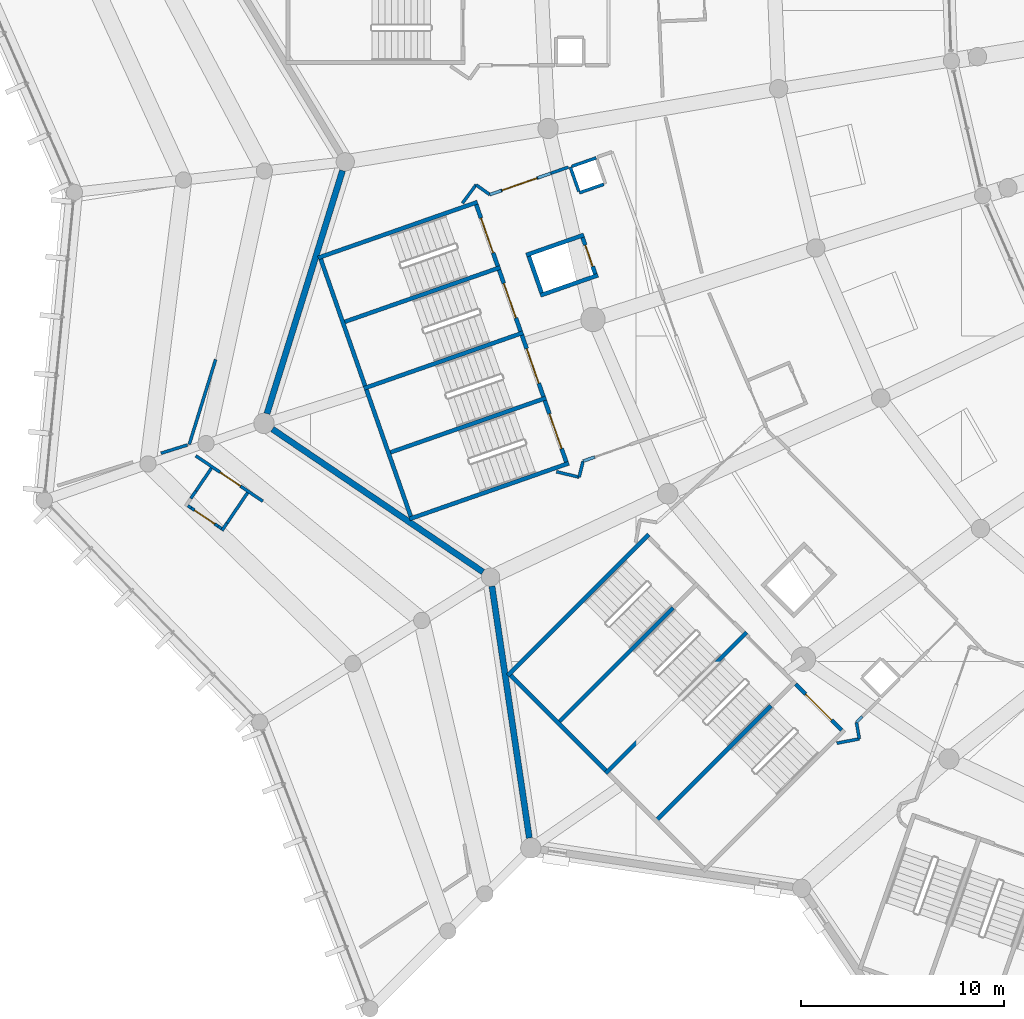
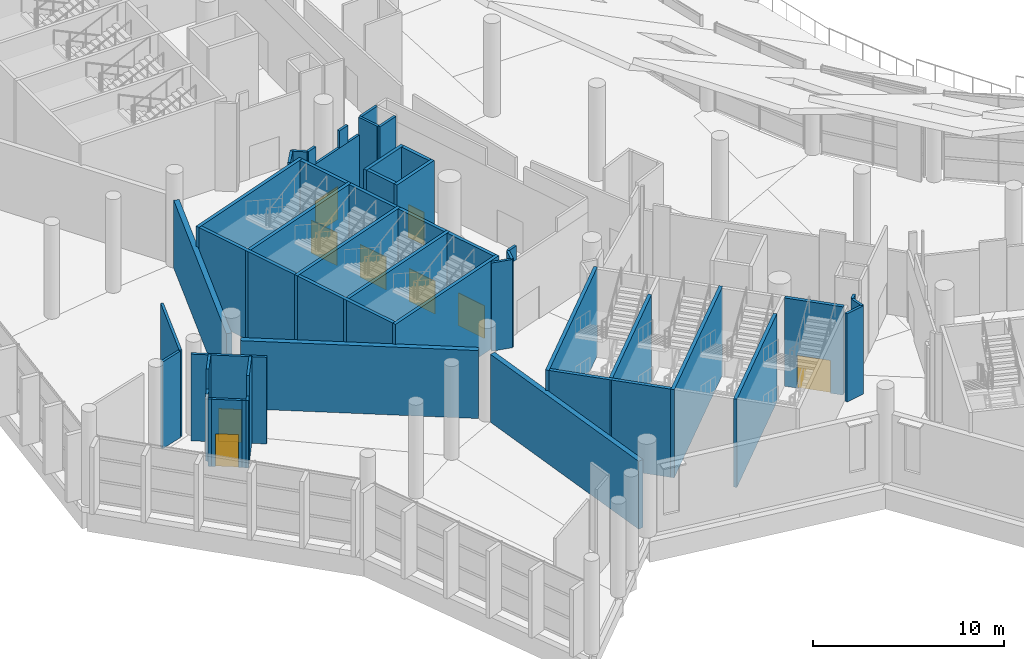
# One storey, part 138 of 249: 48 walls, 9 doors, 9 openings.
"""IFC4 building model written with IfcOpenShell, lengths in metres."""

import ifcopenshell
import ifcopenshell.guid

model = None  # the IFC model being written
_history = None  # IfcOwnerHistory: only IFC2X3 demands one
_inside = {}  # id of a spatial element -> (the spatial element, [elements in it])
_under = {}  # id of a project, library or spatial element -> (it, [spatial elements below it])
_declared = {}  # id of a project -> (the project, [libraries it declares])
_typed = {}  # id of a type object -> (the type object, [elements of that type])
_made_of = {}  # id of a material, layer set ... -> (it, [elements and type objects made of it])


def new_model(schema):
    """Start an empty IFC model of exactly this schema.

    Asked for "IFC4X3", IfcOpenShell would pick the latest addendum, in which some entities
    have other attributes; the version numbers below select the first issue.
    IFC2X3 requires an IfcOwnerHistory on every rooted entity: one is made here for all.
    """
    global model, _history
    if schema == "IFC4X3":
        model = ifcopenshell.file(schema_version=(4, 3, 0, 0))
    else:
        model = ifcopenshell.file(schema=schema)
    _inside.clear()
    _under.clear()
    _declared.clear()
    _typed.clear()
    _made_of.clear()
    _history = None
    if model.schema == "IFC2X3":
        org = make("IfcOrganization", Name="unknown")
        user = make(
            "IfcPersonAndOrganization",
            ThePerson=make("IfcPerson", FamilyName="unknown"),
            TheOrganization=org,
        )
        app = make(
            "IfcApplication",
            ApplicationDeveloper=org,
            Version="unknown",
            ApplicationFullName="unknown",
            ApplicationIdentifier="unknown",
        )
        _history = make(
            "IfcOwnerHistory",
            OwningUser=user,
            OwningApplication=app,
            ChangeAction="ADDED",
            CreationDate=0,
        )
    return model


def make(cls, **values):
    """One entity of the class cls with the attributes given. An attribute that is None is left unset."""
    return model.create_entity(
        cls, **{name: value for name, value in values.items() if value is not None}
    )


def rooted(cls, **values):
    """An entity with a GlobalId (a new one), such as an element, a storey or a relation."""
    return make(cls, GlobalId=ifcopenshell.guid.new(), OwnerHistory=_history, **values)


def si_unit(unit_type, name, prefix=None):
    """IfcSIUnit, for example si_unit("LENGTHUNIT", "METRE", prefix="MILLI")."""
    return make("IfcSIUnit", UnitType=unit_type, Prefix=prefix, Name=name)


def assignment(units):
    """IfcUnitAssignment: the units of a project."""
    return None if units is None else make("IfcUnitAssignment", Units=units)


def point(xyz):
    """IfcCartesianPoint."""
    return None if xyz is None else make("IfcCartesianPoint", Coordinates=xyz)


def direction(xyz):
    """IfcDirection."""
    return None if xyz is None else make("IfcDirection", DirectionRatios=xyz)


def frame(location, z_axis=None, x_axis=None):
    """IfcAxis2Placement3D, a coordinate frame: its origin and axes. An axis left out is left unset."""
    return make(
        "IfcAxis2Placement3D",
        Location=point(location),
        Axis=direction(z_axis),
        RefDirection=direction(x_axis),
    )


def frame_2d(location, x_axis=None):
    """IfcAxis2Placement2D, a coordinate frame in the plane: its origin and x axis."""
    return make(
        "IfcAxis2Placement2D", Location=point(location), RefDirection=direction(x_axis)
    )


def origin():
    """The frame at (0, 0, 0) with its axes left unset."""
    return frame((0.0, 0.0, 0.0))


def place(relative_to, where):
    """IfcLocalPlacement: puts the frame where relative to a parent placement (None: the world)."""
    return make(
        "IfcLocalPlacement", PlacementRelTo=relative_to, RelativePlacement=where
    )


def context(
    kind, dimensions, precision=None, world=None, true_north=None, identifier=None
):
    """IfcGeometricRepresentationContext, for example the 3D "Model" context."""
    return make(
        "IfcGeometricRepresentationContext",
        ContextIdentifier=identifier,
        ContextType=kind,
        CoordinateSpaceDimension=dimensions,
        Precision=precision,
        WorldCoordinateSystem=world,
        TrueNorth=true_north,
    )


def subcontext(parent, identifier, kind, view, scale=None):
    """IfcGeometricRepresentationSubContext, for example "Body" below "Model"."""
    return make(
        "IfcGeometricRepresentationSubContext",
        ContextIdentifier=identifier,
        ContextType=kind,
        ParentContext=parent,
        TargetScale=scale,
        TargetView=view,
    )


def project(units=None, contexts=None):
    """IfcProject with its units and contexts."""
    return rooted(
        "IfcProject",
        Name="project",
        RepresentationContexts=contexts,
        UnitsInContext=assignment(units),
    )


def spatial(cls, under=None, at=None, **own):
    """A site, building, storey or space (cls), placed at a placement, below another one or the project."""
    s = rooted(cls, ObjectPlacement=at, **own)
    if under is not None:
        _under.setdefault(under.id(), (under, []))[1].append(s)
    return s


def profile(cls, at=None, kind="AREA", **sizes):
    """A parametric profile (cls). Its sizes go by their IFC names, for example OverallWidth=200.0."""
    return make(cls, ProfileType=kind, Position=at, **sizes)


def rectangle(**sizes):
    """IfcRectangleProfileDef."""
    return profile("IfcRectangleProfileDef", **sizes)


def extrude(swept, where, along, depth):
    """IfcExtrudedAreaSolid: the profile swept, set in the frame where, extruded along a direction by depth."""
    return make(
        "IfcExtrudedAreaSolid",
        SweptArea=swept,
        Position=where,
        ExtrudedDirection=direction(along),
        Depth=depth,
    )


def shape(context_of_items, identifier, shape_type, items):
    """IfcShapeRepresentation: the items that make up one representation, for example the "Body"."""
    return make(
        "IfcShapeRepresentation",
        ContextOfItems=context_of_items,
        RepresentationIdentifier=identifier,
        RepresentationType=shape_type,
        Items=items,
    )


def material(Name=None, Category=None):
    """IfcMaterial."""
    return make("IfcMaterial", Name=Name, Category=Category)


def layer(
    of_material, thickness, ventilated=None, Name=None, Category=None, Priority=None
):
    """IfcMaterialLayer: one layer of a wall or slab, of a material (None: an air gap)."""
    return make(
        "IfcMaterialLayer",
        Material=of_material,
        LayerThickness=thickness,
        IsVentilated=ventilated,
        Name=Name,
        Category=Category,
        Priority=Priority,
    )


def layer_set(layers, Name=None):
    """IfcMaterialLayerSet."""
    return make("IfcMaterialLayerSet", MaterialLayers=layers, LayerSetName=Name)


def made_of(thing, what):
    """Note that an element or type object is made of a material, layer set ...; save() writes the relation."""
    if what is not None:
        _made_of.setdefault(what.id(), (what, []))[1].append(thing)
    return thing


def type_object(cls, material=None, **own):
    """A type object (cls), such as IfcWallType, which elements share."""
    return made_of(rooted(cls, **own), material)


def element(
    cls,
    number,
    at=None,
    inside=None,
    cuts=None,
    type_object=None,
    material=None,
    context=None,
    identifier="Body",
    shape_type=None,
    held_by="IfcProductDefinitionShape",
    body=None,
    shapes=None,
    **own,
):
    """One element of the class cls, such as IfcWall. Its Tag is "e" and its number.

    at: its placement. inside: the storey or other place that contains it. cuts: it is an
    opening in that element (IfcRelVoidsElement). A single representation is given by context,
    identifier, shape_type and body (its items); several are given by shapes. held_by: the class
    of the entity that holds the representations. save() writes the other relations.
    """
    e = rooted(cls, Tag="e%d" % number, ObjectPlacement=at, **own)
    if body is not None:
        shapes = [shape(context, identifier, shape_type, body)]
    if shapes is not None:
        e.Representation = make(held_by, Representations=shapes)
    if inside is not None:
        _inside.setdefault(inside.id(), (inside, []))[1].append(e)
    if cuts is not None:
        rooted(
            "IfcRelVoidsElement", RelatingBuildingElement=cuts, RelatedOpeningElement=e
        )
    if type_object is not None:
        _typed.setdefault(type_object.id(), (type_object, []))[1].append(e)
    return made_of(e, material)


def fill(opening, filler):
    """IfcRelFillsElement: the door or window that sits in an opening."""
    return rooted(
        "IfcRelFillsElement",
        RelatingOpeningElement=opening,
        RelatedBuildingElement=filler,
    )


def aggregate(whole, parts):
    """IfcRelAggregates: a whole, such as a stair, and the parts it consists of."""
    return rooted("IfcRelAggregates", RelatingObject=whole, RelatedObjects=parts)


def save(model, path):
    """Write the relations noted so far, then the file.

    IfcRelAggregates (storeys below a building ...), IfcRelContainedInSpatialStructure (elements
    in a storey), IfcRelDefinesByType, IfcRelAssociatesMaterial and IfcRelDeclares: one each for
    every whole, place, type object, material and project.
    """
    for whole, parts in _under.values():
        aggregate(whole, parts)
    for where, things in _inside.values():
        rooted(
            "IfcRelContainedInSpatialStructure",
            RelatedElements=things,
            RelatingStructure=where,
        )
    for kind, things in _typed.values():
        rooted("IfcRelDefinesByType", RelatedObjects=things, RelatingType=kind)
    for what, things in _made_of.values():
        rooted("IfcRelAssociatesMaterial", RelatedObjects=things, RelatingMaterial=what)
    for by, libraries in _declared.values():
        rooted("IfcRelDeclares", RelatingContext=by, RelatedDefinitions=libraries)
    model.write(path)


model = new_model("IFC4")

# Units and contexts
model_context = context("Model", 3, precision=1e-05, world=origin(), true_north=direction((0.0, 1.0)))
body_context = subcontext(model_context, "Body", "Model", "MODEL_VIEW")
ifc_project = project(units=[si_unit("LENGTHUNIT", "METRE"), si_unit("AREAUNIT", "SQUARE_METRE"), si_unit("VOLUMEUNIT", "CUBIC_METRE"), si_unit("PLANEANGLEUNIT", "RADIAN"), si_unit("MASSUNIT", "GRAM", prefix="KILO")], contexts=[model_context])

# Site, building, storey
site_placement = place(None, origin())
site = spatial("IfcSite", under=ifc_project, at=site_placement, CompositionType="ELEMENT")
building_placement = place(site_placement, origin())
building = spatial("IfcBuilding", under=site, at=building_placement, Name="Meseta Stadium", CompositionType="ELEMENT")
storey_placement = place(building_placement, frame((0.0, 0.0, 12.0)))
storey = spatial("IfcBuildingStorey", under=building, at=storey_placement, Name="L02", CompositionType="ELEMENT", Elevation=12.0)

# Walls
ifc_material_1 = material(Name="Concrete C40/50", Category="concrete")
ifc_layer_1 = layer(ifc_material_1, 0.199951171875)
ifc_layer_set_1 = layer_set([ifc_layer_1], Name="Core divider wall 200")
wall_type_1 = type_object("IfcWallType", Name="Core divider wall 200", PredefinedType="SHEAR", material=ifc_layer_set_1)
for number, where, z_axis, x_axis, name in (
    (1, (-94.505859375, -63.370849609375, 0.0), (0.0, 0.0, 1.0), (0.943878073457, 0.330294084791, 0.0), "Core 20 L02 stair A divider wall"),
    (2, (-92.260009765625, -69.789306640625, 0.0), (0.0, 0.0, 1.0), (0.943878073457, 0.330294084791, 0.0), "Core 20 L02 stair B divider wall"),
):
    element("IfcWall", number, at=place(storey_placement, frame(where, z_axis=z_axis, x_axis=x_axis)), inside=storey, type_object=wall_type_1, Name=name, PredefinedType="SHEAR", context=body_context, shape_type="SweptSolid", body=[
        extrude(rectangle(XDim=8.300048828125, YDim=0.199951171875, at=frame_2d((4.14990234375, 0.0))), origin(), (0.0, 0.0, 1.0), 5.64990234375),
    ])
for number, where, z_axis, x_axis, name in (
    (3, (-83.90087890625, -83.092529296875, 0.0), (0.0, 0.0, 1.0), (0.707106781187, 0.707106781187, 0.0), "Core 21 L02 stair A divider wall"),
    (4, (-79.092529296875, -87.90087890625, 0.0), (0.0, 0.0, 1.0), (0.707106781187, 0.707106781187, 0.0), "Core 21 L02 stair B divider wall"),
):
    element("IfcWall", number, at=place(storey_placement, frame(where, z_axis=z_axis, x_axis=x_axis)), inside=storey, type_object=wall_type_1, Name=name, PredefinedType="SHEAR", context=body_context, shape_type="SweptSolid", body=[
        extrude(rectangle(XDim=8.099853515625, YDim=0.199951171875, at=frame_2d((4.0498046875, 0.0))), origin(), (0.0, 0.0, 1.0), 5.64990234375),
    ])
ifc_material_2 = material(Name="Concrete C40/50", Category="concrete")
ifc_layer_2 = layer(ifc_material_2, 0.199951171875)
ifc_layer_set_2 = layer_set([ifc_layer_2], Name="Core shaft wall 200")
wall_type_2 = type_object("IfcWallType", Name="Core shaft wall 200", PredefinedType="SHEAR", material=ifc_layer_set_2)
for number, where, z_axis, x_axis, name in (
    (5, (-95.62890625, -60.16162109375, 0.0), (0.0, 0.0, 1.0), (0.943887243331, 0.330267878966, 0.0), "Core 20 L02 stair wall A-side"),
    (6, (-93.3828125, -66.580078125, 0.0), (0.0, 0.0, 1.0), (0.943878073457, 0.330294084791, 0.0), "Core 20 L02 stair wall shared"),
    (7, (-91.136962890625, -72.998291015625, 0.0), (0.0, 0.0, 1.0), (0.943887243331, 0.330267878966, 0.0), "Core 20 L02 stair wall B-side"),
):
    element("IfcWall", number, at=place(storey_placement, frame(where, z_axis=z_axis, x_axis=x_axis)), inside=storey, type_object=wall_type_2, Name=name, PredefinedType="SHEAR", context=body_context, shape_type="SweptSolid", body=[
        extrude(rectangle(XDim=8.300048828125, YDim=0.199951171875, at=frame_2d((4.14990234375, 0.0))), origin(), (0.0, 0.0, 1.0), 5.64990234375),
    ])
for number, where, z_axis, x_axis, name in (
    (8, (-95.50146484375, -60.222900390625, 0.0), (0.0, 0.0, 1.0), (0.330286164688, -0.943880844925, 0.0), "Core 20 L02 stair A outer end wall"),
    (9, (-93.255615234375, -66.641357421875, 0.0), (0.0, 0.0, 1.0), (0.330286164688, -0.943880844925, 0.0), "Core 20 L02 stair B outer end wall"),
):
    element("IfcWall", number, at=place(storey_placement, frame(where, z_axis=z_axis, x_axis=x_axis)), inside=storey, type_object=wall_type_2, Name=name, PredefinedType="SHEAR", context=body_context, shape_type="SweptSolid", body=[
        extrude(rectangle(XDim=6.60009765625, YDim=0.199951171875, at=frame_2d((3.300048828125, 0.0))), origin(), (0.0, 0.0, 1.0), 5.64990234375),
    ])

# Wall, opening, door
wall_1_placement = place(storey_placement, frame((-87.85595703125, -57.547607421875, 0.0), z_axis=(0.0, 0.0, 1.0), x_axis=(0.330268863922, -0.943886898693, 0.0)))
wall_1 = element("IfcWall", 10, at=wall_1_placement, inside=storey, type_object=wall_type_2, Name="Core 20 L02 stair A1 inner end wall", PredefinedType="SHEAR", context=body_context, shape_type="SweptSolid", body=[
    extrude(rectangle(XDim=3.2001953125, YDim=0.199951171875, at=frame_2d((1.60009765625, 0.0))), origin(), (0.0, 0.0, 1.0), 5.64990234375),
])
opening_1_placement = place(wall_1_placement, frame((0.699951171875, 0.0, 0.0)))
opening_1 = element("IfcOpeningElement", 11, at=opening_1_placement, cuts=wall_1, Name="Opening D1009", PredefinedType="OPENING", context=body_context, shape_type="SweptSolid", body=[
    extrude(rectangle(XDim=1.800048828125, YDim=2.10009765625, at=frame_2d((0.89990234375, 1.050048828125))), frame((0.0, 0.10986328125, 0.0), z_axis=(0.0, -1.0, 0.0), x_axis=(1.0, 0.0, 0.0)), (0.0, 0.0, 1.0), 0.219970703125),
])
ifc_material_3 = material(Name="Steel", Category="steel")
door_type_1 = type_object("IfcDoorType", Name="Stair door 1800x2100", OperationType="DOUBLE_DOOR_SINGLE_SWING", PredefinedType="DOOR", material=ifc_material_3)
door_1_placement = place(opening_1_placement, origin())
door_1 = element("IfcDoor", 12, at=door_1_placement, inside=storey, type_object=door_type_1, Name="Stair A1 door 20 L02", OperationType="DOUBLE_DOOR_SINGLE_SWING", OverallHeight=2.10009765625, OverallWidth=1.800048828125, PredefinedType="DOOR", context=body_context, shape_type="SweptSolid", body=[
    extrude(rectangle(XDim=1.800048828125, YDim=2.10009765625, at=frame_2d((0.89990234375, 1.050048828125))), frame((0.0, 0.02490234375, 0.0), z_axis=(0.0, -1.0, 0.0), x_axis=(1.0, 0.0, 0.0)), (0.0, 0.0, 1.0), 0.050048828125),
])
fill(opening_1, door_1)

wall_2_placement = place(storey_placement, frame((-86.73291015625, -60.7568359375, 0.0), z_axis=(0.0, 0.0, 1.0), x_axis=(0.330268863922, -0.943886898693, 0.0)))
wall_2 = element("IfcWall", 13, at=wall_2_placement, inside=storey, type_object=wall_type_2, Name="Core 20 L02 stair A2 inner end wall", PredefinedType="SHEAR", context=body_context, shape_type="SweptSolid", body=[
    extrude(rectangle(XDim=3.2001953125, YDim=0.199951171875, at=frame_2d((1.60009765625, 0.0))), origin(), (0.0, 0.0, 1.0), 5.64990234375),
])
opening_2_placement = place(wall_2_placement, frame((0.699951171875, 0.0, 0.0)))
opening_2 = element("IfcOpeningElement", 14, at=opening_2_placement, cuts=wall_2, Name="Opening D1018", PredefinedType="OPENING", context=body_context, shape_type="SweptSolid", body=[
    extrude(rectangle(XDim=1.800048828125, YDim=2.10009765625, at=frame_2d((0.89990234375, 1.050048828125))), frame((0.0, 0.10986328125, 0.0), z_axis=(0.0, -1.0, 0.0), x_axis=(1.0, 0.0, 0.0)), (0.0, 0.0, 1.0), 0.219970703125),
])
door_2_placement = place(opening_2_placement, origin())
door_2 = element("IfcDoor", 15, at=door_2_placement, inside=storey, type_object=door_type_1, Name="Stair A2 door 20 L02", OperationType="DOUBLE_DOOR_SINGLE_SWING", OverallHeight=2.10009765625, OverallWidth=1.800048828125, PredefinedType="DOOR", context=body_context, shape_type="SweptSolid", body=[
    extrude(rectangle(XDim=1.800048828125, YDim=2.10009765625, at=frame_2d((0.89990234375, 1.050048828125))), frame((0.0, 0.02490234375, 0.0), z_axis=(0.0, -1.0, 0.0), x_axis=(1.0, 0.0, 0.0)), (0.0, 0.0, 1.0), 0.050048828125),
])
fill(opening_2, door_2)

wall_3_placement = place(storey_placement, frame((-85.610107421875, -63.966064453125, 0.0), z_axis=(0.0, 0.0, 1.0), x_axis=(0.330268863922, -0.943886898693, 0.0)))
wall_3 = element("IfcWall", 16, at=wall_3_placement, inside=storey, type_object=wall_type_2, Name="Core 20 L02 stair B1 inner end wall", PredefinedType="SHEAR", context=body_context, shape_type="SweptSolid", body=[
    extrude(rectangle(XDim=3.2001953125, YDim=0.199951171875, at=frame_2d((1.60009765625, 0.0))), origin(), (0.0, 0.0, 1.0), 5.64990234375),
])
opening_3_placement = place(wall_3_placement, frame((0.699951171875, 0.0, 0.0)))
opening_3 = element("IfcOpeningElement", 17, at=opening_3_placement, cuts=wall_3, Name="Opening D1022", PredefinedType="OPENING", context=body_context, shape_type="SweptSolid", body=[
    extrude(rectangle(XDim=1.800048828125, YDim=2.10009765625, at=frame_2d((0.89990234375, 1.050048828125))), frame((0.0, 0.10986328125, 0.0), z_axis=(0.0, -1.0, 0.0), x_axis=(1.0, 0.0, 0.0)), (0.0, 0.0, 1.0), 0.219970703125),
])
door_3_placement = place(opening_3_placement, origin())
door_3 = element("IfcDoor", 18, at=door_3_placement, inside=storey, type_object=door_type_1, Name="Stair B1 door 20 L02", OperationType="DOUBLE_DOOR_SINGLE_SWING", OverallHeight=2.10009765625, OverallWidth=1.800048828125, PredefinedType="DOOR", context=body_context, shape_type="SweptSolid", body=[
    extrude(rectangle(XDim=1.800048828125, YDim=2.10009765625, at=frame_2d((0.89990234375, 1.050048828125))), frame((0.0, 0.02490234375, 0.0), z_axis=(0.0, -1.0, 0.0), x_axis=(1.0, 0.0, 0.0)), (0.0, 0.0, 1.0), 0.050048828125),
])
fill(opening_3, door_3)

wall_4_placement = place(storey_placement, frame((-84.487060546875, -67.17529296875, 0.0), z_axis=(0.0, 0.0, 1.0), x_axis=(0.330268863922, -0.943886898693, 0.0)))
wall_4 = element("IfcWall", 19, at=wall_4_placement, inside=storey, type_object=wall_type_2, Name="Core 20 L02 stair B2 inner end wall", PredefinedType="SHEAR", context=body_context, shape_type="SweptSolid", body=[
    extrude(rectangle(XDim=3.2001953125, YDim=0.199951171875, at=frame_2d((1.60009765625, 0.0))), origin(), (0.0, 0.0, 1.0), 5.64990234375),
])
opening_4_placement = place(wall_4_placement, frame((0.699951171875, 0.0, 0.0)))
opening_4 = element("IfcOpeningElement", 20, at=opening_4_placement, cuts=wall_4, Name="Opening D1025", PredefinedType="OPENING", context=body_context, shape_type="SweptSolid", body=[
    extrude(rectangle(XDim=1.800048828125, YDim=2.10009765625, at=frame_2d((0.89990234375, 1.050048828125))), frame((0.0, 0.10986328125, 0.0), z_axis=(0.0, -1.0, 0.0), x_axis=(1.0, 0.0, 0.0)), (0.0, 0.0, 1.0), 0.219970703125),
])
door_4_placement = place(opening_4_placement, origin())
door_4 = element("IfcDoor", 21, at=door_4_placement, inside=storey, type_object=door_type_1, Name="Stair B2 door 20 L02", OperationType="DOUBLE_DOOR_SINGLE_SWING", OverallHeight=2.10009765625, OverallWidth=1.800048828125, PredefinedType="DOOR", context=body_context, shape_type="SweptSolid", body=[
    extrude(rectangle(XDim=1.800048828125, YDim=2.10009765625, at=frame_2d((0.89990234375, 1.050048828125))), frame((0.0, 0.02490234375, 0.0), z_axis=(0.0, -1.0, 0.0), x_axis=(1.0, 0.0, 0.0)), (0.0, 0.0, 1.0), 0.050048828125),
])
fill(opening_4, door_4)

# Walls
wall_5_placement = place(storey_placement, frame((-85.39990234375, -60.025390625, 0.0), z_axis=(0.0, 0.0, 1.0), x_axis=(0.943900215722, 0.330230802259, 0.0)))
element("IfcWall", 22, at=wall_5_placement, inside=storey, type_object=wall_type_2, Name="Core 20 L02 lift shaft wall left", PredefinedType="SHEAR", context=body_context, shape_type="SweptSolid", body=[
    extrude(rectangle(XDim=3.0, YDim=0.199951171875, at=frame_2d((1.5, 0.0))), origin(), (0.0, 0.0, 1.0), 5.64990234375),
])
wall_6_placement = place(storey_placement, frame((-84.706298828125, -62.0078125, 0.0), z_axis=(0.0, 0.0, 1.0), x_axis=(0.943874847782, 0.330303302625, 0.0)))
element("IfcWall", 23, at=wall_6_placement, inside=storey, type_object=wall_type_2, Name="Core 20 L02 lift shaft wall right", PredefinedType="SHEAR", context=body_context, shape_type="SweptSolid", body=[
    extrude(rectangle(XDim=3.000244140625, YDim=0.199951171875, at=frame_2d((1.5, 0.0))), origin(), (0.0, 0.0, 1.0), 5.64990234375),
])
wall_7_placement = place(storey_placement, frame((-85.272216796875, -60.0869140625, 0.0), z_axis=(0.0, 0.0, 1.0), x_axis=(0.330224505327, -0.943902418729, 0.0)))
element("IfcWall", 24, at=wall_7_placement, inside=storey, type_object=wall_type_2, Name="Core 20 L02 lift shaft back wall", PredefinedType="SHEAR", context=body_context, shape_type="SweptSolid", body=[
    extrude(rectangle(XDim=1.900146484375, YDim=0.199951171875, at=frame_2d((0.9501953125, 0.0))), origin(), (0.0, 0.0, 1.0), 5.64990234375),
])

# Wall, opening, door
wall_8_placement = place(storey_placement, frame((-82.62939453125, -59.162109375, 0.0), z_axis=(0.0, 0.0, 1.0), x_axis=(0.330224505327, -0.943902418729, 0.0)))
wall_8 = element("IfcWall", 25, at=wall_8_placement, inside=storey, type_object=wall_type_2, Name="Core 20 L02 lift shaft front wall", PredefinedType="SHEAR", context=body_context, shape_type="SweptSolid", body=[
    extrude(rectangle(XDim=1.900146484375, YDim=0.199951171875, at=frame_2d((0.9501953125, 0.0))), origin(), (0.0, 0.0, 1.0), 5.64990234375),
])
opening_5_placement = place(wall_8_placement, frame((0.39990234375, 0.0, 0.0)))
opening_5 = element("IfcOpeningElement", 26, at=opening_5_placement, cuts=wall_8, Name="Opening LD112", PredefinedType="OPENING", context=body_context, shape_type="SweptSolid", body=[
    extrude(rectangle(XDim=1.10009765625, YDim=2.10009765625, at=frame_2d((0.550048828125, 1.050048828125))), frame((0.0, 0.10986328125, 0.0), z_axis=(0.0, -1.0, 0.0), x_axis=(1.0, 0.0, 0.0)), (0.0, 0.0, 1.0), 0.219970703125),
])
ifc_material_4 = material(Name="Steel", Category="steel")
door_type_2 = type_object("IfcDoorType", Name="Lift landing door 1100x2100", OperationType="SLIDING_TO_LEFT", PredefinedType="DOOR", material=ifc_material_4)
door_5_placement = place(opening_5_placement, origin())
door_5 = element("IfcDoor", 27, at=door_5_placement, inside=storey, type_object=door_type_2, Name="Lift landing door LD112", OperationType="SLIDING_TO_RIGHT", OverallHeight=2.10009765625, OverallWidth=1.10009765625, PredefinedType="DOOR", context=body_context, shape_type="SweptSolid", body=[
    extrude(rectangle(XDim=1.10009765625, YDim=2.10009765625, at=frame_2d((0.550048828125, 1.050048828125))), frame((0.0, 0.02490234375, 0.0), z_axis=(0.0, -1.0, 0.0), x_axis=(1.0, 0.0, 0.0)), (0.0, 0.0, 1.0), 0.050048828125),
])
fill(opening_5, door_5)

# Walls
for number, where, z_axis, x_axis, name in (
    (28, (-86.30517578125, -80.6884765625, 0.0), (0.0, 0.0, 1.0), (0.707106781187, 0.707106781187, 0.0), "Core 21 L02 stair wall A-side"),
    (29, (-81.496826171875, -85.496826171875, 0.0), (0.0, 0.0, 1.0), (0.707106781187, 0.707106781187, 0.0), "Core 21 L02 stair wall shared"),
):
    element("IfcWall", number, at=place(storey_placement, frame(where, z_axis=z_axis, x_axis=x_axis)), inside=storey, type_object=wall_type_2, Name=name, PredefinedType="SHEAR", context=body_context, shape_type="SweptSolid", body=[
        extrude(rectangle(XDim=9.800048828125, YDim=0.199951171875, at=frame_2d((4.89990234375, 0.0))), origin(), (0.0, 0.0, 1.0), 5.64990234375),
    ])
wall_9_placement = place(storey_placement, frame((-86.163818359375, -80.6884765625, 0.0), z_axis=(0.0, 0.0, 1.0), x_axis=(0.707125276584, -0.707088285305, 0.0)))
element("IfcWall", 30, at=wall_9_placement, inside=storey, type_object=wall_type_2, Name="Core 21 L02 stair A outer end wall", PredefinedType="SHEAR", context=body_context, shape_type="SweptSolid", body=[
    extrude(rectangle(XDim=6.599853515625, YDim=0.199951171875, at=frame_2d((3.2998046875, 0.0))), origin(), (0.0, 0.0, 1.0), 5.64990234375),
])

# Wall, opening, door
wall_10_placement = place(storey_placement, frame((-72.1630859375, -81.11279296875, 0.0), z_axis=(0.0, 0.0, 1.0), x_axis=(0.707144925854, -0.707068634461, 0.0)))
wall_10 = element("IfcWall", 31, at=wall_10_placement, inside=storey, type_object=wall_type_2, Name="Core 21 L02 stair B2 inner end wall", PredefinedType="SHEAR", context=body_context, shape_type="SweptSolid", body=[
    extrude(rectangle(XDim=3.2001953125, YDim=0.199951171875, at=frame_2d((1.60009765625, 0.0))), origin(), (0.0, 0.0, 1.0), 5.64990234375),
])
opening_6_placement = place(wall_10_placement, frame((0.699951171875, 0.0, 0.0)))
opening_6 = element("IfcOpeningElement", 32, at=opening_6_placement, cuts=wall_10, Name="Opening D1059", PredefinedType="OPENING", context=body_context, shape_type="SweptSolid", body=[
    extrude(rectangle(XDim=1.800048828125, YDim=2.10009765625, at=frame_2d((0.89990234375, 1.050048828125))), frame((0.0, 0.10986328125, 0.0), z_axis=(0.0, -1.0, 0.0), x_axis=(1.0, 0.0, 0.0)), (0.0, 0.0, 1.0), 0.219970703125),
])
door_6_placement = place(opening_6_placement, origin())
door_6 = element("IfcDoor", 33, at=door_6_placement, inside=storey, type_object=door_type_1, Name="Stair B2 door 21 L02", OperationType="DOUBLE_DOOR_SINGLE_SWING", OverallHeight=2.10009765625, OverallWidth=1.800048828125, PredefinedType="DOOR", context=body_context, shape_type="SweptSolid", body=[
    extrude(rectangle(XDim=1.800048828125, YDim=2.10009765625, at=frame_2d((0.89990234375, 1.050048828125))), frame((0.0, 0.02490234375, 0.0), z_axis=(0.0, -1.0, 0.0), x_axis=(1.0, 0.0, 0.0)), (0.0, 0.0, 1.0), 0.050048828125),
])
fill(opening_6, door_6)

# Walls
ifc_material_5 = material(Name="Masonry blockwork", Category="masonry")
ifc_layer_3 = layer(ifc_material_5, 0.14990234375)
ifc_layer_set_3 = layer_set([ifc_layer_3], Name="Partition 150")
wall_type_3 = type_object("IfcWallType", Name="Partition 150", PredefinedType="PARTITIONING", material=ifc_layer_set_3)
wall_11_placement = place(storey_placement, frame((-100.6650390625, -65.154296875, 0.0), z_axis=(0.0, 0.0, 1.0), x_axis=(-0.296860778356, -0.954920770679, 0.0)))
element("IfcWall", 34, at=wall_11_placement, inside=storey, type_object=wall_type_3, Name="Partition L02 L02-ring18-0", PredefinedType="PARTITIONING", context=body_context, shape_type="SweptSolid", body=[
    extrude(rectangle(XDim=4.375244140625, YDim=0.14990234375, at=frame_2d((2.1875, 0.0))), origin(), (0.0, 0.0, 1.0), 5.550048828125),
])
wall_12_placement = place(storey_placement, frame((-102.05078125, -69.359619140625, 0.0), z_axis=(0.0, 0.0, 1.0), x_axis=(-0.954243765566, -0.299029824395, 0.0)))
element("IfcWall", 35, at=wall_12_placement, inside=storey, type_object=wall_type_3, Name="Partition L02 L02-ring18-0", PredefinedType="PARTITIONING", context=body_context, shape_type="SweptSolid", body=[
    extrude(rectangle(XDim=1.362548828125, YDim=0.14990234375, at=frame_2d((0.68115234375, 0.0))), origin(), (0.0, 0.0, 1.0), 5.550048828125),
])

# Wall, opening, door
wall_13_placement = place(storey_placement, frame((-101.639404296875, -69.892578125, 0.0), z_axis=(0.0, 0.0, 1.0), x_axis=(0.82747475675, -0.561502918017, 0.0)))
wall_13 = element("IfcWall", 36, at=wall_13_placement, inside=storey, type_object=wall_type_3, Name="Partition L02 L02-ring19-0", PredefinedType="PARTITIONING", context=body_context, shape_type="SweptSolid", body=[
    extrude(rectangle(XDim=3.98095703125, YDim=0.14990234375, at=frame_2d((1.990478515625, 0.0))), origin(), (0.0, 0.0, 1.0), 5.550048828125),
])
opening_7_placement = place(wall_13_placement, frame((1.449951171875, 0.0, 0.0)))
opening_7 = element("IfcOpeningElement", 37, at=opening_7_placement, cuts=wall_13, Name="Opening D713", PredefinedType="OPENING", context=body_context, shape_type="SweptSolid", body=[
    extrude(rectangle(XDim=1.199951171875, YDim=2.10009765625, at=frame_2d((0.60009765625, 1.050048828125))), frame((0.0, 0.0849609375, 0.0), z_axis=(0.0, -1.0, 0.0), x_axis=(1.0, 0.0, 0.0)), (0.0, 0.0, 1.0), 0.169921875),
])
ifc_material_6 = material(Name="Steel", Category="steel")
door_type_3 = type_object("IfcDoorType", Name="Fire door 1200x2100 EI2 60", OperationType="NOTDEFINED", PredefinedType="DOOR", material=ifc_material_6)
door_7_placement = place(opening_7_placement, origin())
door_7 = element("IfcDoor", 38, at=door_7_placement, inside=storey, type_object=door_type_3, Name="Door D713", OperationType="SINGLE_SWING_RIGHT", OverallHeight=2.10009765625, OverallWidth=1.199951171875, PredefinedType="DOOR", context=body_context, shape_type="SweptSolid", body=[
    extrude(rectangle(XDim=1.199951171875, YDim=2.10009765625, at=frame_2d((0.60009765625, 1.050048828125))), frame((0.0, 0.02490234375, 0.0), z_axis=(0.0, -1.0, 0.0), x_axis=(1.0, 0.0, 0.0)), (0.0, 0.0, 1.0), 0.050048828125),
])
fill(opening_7, door_7)

# Walls
for number, where, z_axis, x_axis, name in (
    (39, (-83.234619140625, -55.692138671875, 0.0), (0.0, 0.0, 1.0), (0.330324835387, -0.943867312246, 0.0), "Pressurisation shaft wall L02 core 20"),
    (40, (-82.78857421875, -56.96630859375, 0.0), (0.0, 0.0, 1.0), (0.943927004722, 0.330154221169, 0.0), "Pressurisation shaft wall L02 core 20"),
):
    element("IfcWall", number, at=place(storey_placement, frame(where, z_axis=z_axis, x_axis=x_axis)), inside=storey, type_object=wall_type_3, Name=name, PredefinedType="PARTITIONING", context=body_context, shape_type="SweptSolid", body=[
        extrude(rectangle(XDim=1.27490234375, YDim=0.14990234375, at=frame_2d((0.637451171875, 0.0))), origin(), (0.0, 0.0, 1.0), 5.64990234375),
    ])
wall_14_placement = place(storey_placement, frame((-81.960205078125, -55.246337890625, 0.0), z_axis=(0.0, 0.0, 1.0), x_axis=(-0.943888201207, -0.330265141396, 0.0)))
element("IfcWall", 41, at=wall_14_placement, inside=storey, type_object=wall_type_3, Name="Pressurisation shaft wall L02 core 20", PredefinedType="PARTITIONING", context=body_context, shape_type="SweptSolid", body=[
    extrude(rectangle(XDim=1.275146484375, YDim=0.14990234375, at=frame_2d((0.6376953125, 0.0))), origin(), (0.0, 0.0, 1.0), 5.64990234375),
])
wall_15_placement = place(storey_placement, frame((-83.91650390625, -70.674560546875, 0.0), z_axis=(0.0, 0.0, 1.0), x_axis=(0.972474155426, -0.233010765906, 0.0)))
element("IfcWall", 42, at=wall_15_placement, inside=storey, type_object=wall_type_3, Name="Stair vestibule wall L02 core 20", PredefinedType="PARTITIONING", context=body_context, shape_type="SweptSolid", body=[
    extrude(rectangle(XDim=1.147216796875, YDim=0.14990234375, at=frame_2d((0.57373046875, 0.0))), origin(), (0.0, 0.0, 1.0), 5.64990234375),
])
wall_16_placement = place(storey_placement, frame((-82.80078125, -70.94189453125, 0.0), z_axis=(0.0, 0.0, 1.0), x_axis=(0.240907648849, 0.970548043492, 0.0)))
element("IfcWall", 43, at=wall_16_placement, inside=storey, type_object=wall_type_3, Name="Stair vestibule wall L02 core 20", PredefinedType="PARTITIONING", context=body_context, shape_type="SweptSolid", body=[
    extrude(rectangle(XDim=0.811767578125, YDim=0.14990234375, at=frame_2d((0.40576171875, 0.0))), origin(), (0.0, 0.0, 1.0), 5.64990234375),
])
wall_17_placement = place(storey_placement, frame((-82.605224609375, -70.154052734375, 4.75), z_axis=(0.0, 0.0, 1.0), x_axis=(0.943387876343, 0.331691595867, 0.0)))
element("IfcWall", 44, at=wall_17_placement, inside=storey, type_object=wall_type_3, Name="Stair vestibule wall L02 core 20", PredefinedType="PARTITIONING", context=body_context, shape_type="SweptSolid", body=[
    extrude(rectangle(XDim=0.599853515625, YDim=0.14990234375, at=frame_2d((0.2998046875, 0.0))), origin(), (0.0, 0.0, 1.0), 0.89990234375),
])

# Wall, opening, door
wall_18_placement = place(storey_placement, frame((-83.3212890625, -55.701416015625, 0.0), z_axis=(0.0, 0.0, 1.0), x_axis=(-0.943873211719, -0.330307977801, 0.0)))
wall_18 = element("IfcWall", 45, at=wall_18_placement, inside=storey, type_object=wall_type_3, Name="Stair vestibule wall L02 core 20", PredefinedType="PARTITIONING", context=body_context, shape_type="SweptSolid", body=[
    extrude(rectangle(XDim=4.09912109375, YDim=0.14990234375, at=frame_2d((2.049560546875, 0.0))), origin(), (0.0, 0.0, 1.0), 4.550048828125),
])
opening_8_placement = place(wall_18_placement, frame((1.64990234375, 0.0, 0.0)))
opening_8 = element("IfcOpeningElement", 46, at=opening_8_placement, cuts=wall_18, Name="Opening D1021", PredefinedType="OPENING", context=body_context, shape_type="SweptSolid", body=[
    extrude(rectangle(XDim=1.800048828125, YDim=2.10009765625, at=frame_2d((0.89990234375, 1.050048828125))), frame((0.0, 0.0849609375, 0.0), z_axis=(0.0, -1.0, 0.0), x_axis=(1.0, 0.0, 0.0)), (0.0, 0.0, 1.0), 0.169921875),
])
ifc_material_7 = material(Name="Steel", Category="steel")
door_type_4 = type_object("IfcDoorType", Name="Fire double door 1800x2100 EI2 60", OperationType="DOUBLE_DOOR_SINGLE_SWING", PredefinedType="DOOR", material=ifc_material_7)
door_8_placement = place(opening_8_placement, origin())
door_8 = element("IfcDoor", 47, at=door_8_placement, inside=storey, type_object=door_type_4, Name="Stair vestibule door L02 core 20", OperationType="DOUBLE_DOOR_SINGLE_SWING", OverallHeight=2.10009765625, OverallWidth=1.800048828125, PredefinedType="DOOR", context=body_context, shape_type="SweptSolid", body=[
    extrude(rectangle(XDim=1.800048828125, YDim=2.10009765625, at=frame_2d((0.89990234375, 1.050048828125))), frame((0.0, 0.02490234375, 0.0), z_axis=(0.0, -1.0, 0.0), x_axis=(1.0, 0.0, 0.0)), (0.0, 0.0, 1.0), 0.050048828125),
])
fill(opening_8, door_8)

# Walls
wall_19_placement = place(storey_placement, frame((-86.625, -56.857421875, 4.550048828125), z_axis=(0.0, 0.0, 1.0), x_axis=(-0.943807519121, -0.330495638172, 0.0)))
element("IfcWall", 48, at=wall_19_placement, inside=storey, type_object=wall_type_3, Name="Stair vestibule wall L02 core 20", PredefinedType="PARTITIONING", context=body_context, shape_type="SweptSolid", body=[
    extrude(rectangle(XDim=0.59912109375, YDim=0.14990234375, at=frame_2d((0.299560546875, 0.0))), origin(), (0.0, 0.0, 1.0), 1.099853515625),
])
wall_20_placement = place(storey_placement, frame((-87.1904296875, -57.055419921875, 0.0), z_axis=(0.0, 0.0, 1.0), x_axis=(-0.813315890962, 0.581822362504, 0.0)))
element("IfcWall", 49, at=wall_20_placement, inside=storey, type_object=wall_type_3, Name="Stair vestibule wall L02 core 20", PredefinedType="PARTITIONING", context=body_context, shape_type="SweptSolid", body=[
    extrude(rectangle(XDim=0.830078125, YDim=0.14990234375, at=frame_2d((0.4150390625, 0.0))), origin(), (0.0, 0.0, 1.0), 5.64990234375),
])
wall_21_placement = place(storey_placement, frame((-87.865478515625, -56.572509765625, 0.0), z_axis=(0.0, 0.0, 1.0), x_axis=(-0.595036002288, -0.803699045651, 0.0)))
element("IfcWall", 50, at=wall_21_placement, inside=storey, type_object=wall_type_3, Name="Stair vestibule wall L02 core 20", PredefinedType="PARTITIONING", context=body_context, shape_type="SweptSolid", body=[
    extrude(rectangle(XDim=1.1279296875, YDim=0.14990234375, at=frame_2d((0.56396484375, 0.0))), origin(), (0.0, 0.0, 1.0), 5.64990234375),
])
wall_22_placement = place(storey_placement, frame((-70.133544921875, -84.018310546875, 0.0), z_axis=(0.0, 0.0, 1.0), x_axis=(0.982266484486, 0.187490142289, 0.0)))
element("IfcWall", 51, at=wall_22_placement, inside=storey, type_object=wall_type_3, Name="Stair vestibule wall L02 core 21", PredefinedType="PARTITIONING", context=body_context, shape_type="SweptSolid", body=[
    extrude(rectangle(XDim=1.127685546875, YDim=0.14990234375, at=frame_2d((0.56396484375, 0.0))), origin(), (0.0, 0.0, 1.0), 5.64990234375),
])
wall_23_placement = place(storey_placement, frame((-69.02587890625, -83.806884765625, 0.0), z_axis=(0.0, 0.0, 1.0), x_axis=(-0.171316329805, 0.985216075357, 0.0)))
element("IfcWall", 52, at=wall_23_placement, inside=storey, type_object=wall_type_3, Name="Stair vestibule wall L02 core 21", PredefinedType="PARTITIONING", context=body_context, shape_type="SweptSolid", body=[
    extrude(rectangle(XDim=0.829345703125, YDim=0.14990234375, at=frame_2d((0.41455078125, 0.0))), origin(), (0.0, 0.0, 1.0), 5.64990234375),
])
wall_24_placement = place(storey_placement, frame((-69.16796875, -82.98974609375, 4.75), z_axis=(0.0, 0.0, 1.0), x_axis=(0.706809490168, 0.707403947267, 0.0)))
element("IfcWall", 53, at=wall_24_placement, inside=storey, type_object=wall_type_3, Name="Stair vestibule wall L02 core 21", PredefinedType="PARTITIONING", context=body_context, shape_type="SweptSolid", body=[
    extrude(rectangle(XDim=0.41064453125, YDim=0.14990234375, at=frame_2d((0.205322265625, 0.0))), origin(), (0.0, 0.0, 1.0), 0.89990234375),
])
wall_25_placement = place(storey_placement, frame((-100.874755859375, -70.502197265625, 0.0), z_axis=(0.0, 0.0, 1.0), x_axis=(-0.561567757892, -0.827430754382, 0.0)))
element("IfcWall", 54, at=wall_25_placement, inside=storey, type_object=wall_type_3, Name="Partition L02 L02-ring19-0 vestibule", PredefinedType="PARTITIONING", context=body_context, shape_type="SweptSolid", body=[
    extrude(rectangle(XDim=1.349853515625, YDim=0.14990234375, at=frame_2d((0.6748046875, 0.0))), origin(), (0.0, 0.0, 1.0), 5.60009765625),
])
wall_26_placement = place(storey_placement, frame((-101.6328125, -71.619140625, 0.0), z_axis=(0.0, 0.0, 1.0), x_axis=(-0.561315731762, -0.827601745574, 0.0)))
element("IfcWall", 55, at=wall_26_placement, inside=storey, type_object=wall_type_3, Name="Partition L02 L02-ring19-0 vestibule", PredefinedType="PARTITIONING", context=body_context, shape_type="SweptSolid", body=[
    extrude(rectangle(XDim=0.4501953125, YDim=0.14990234375, at=frame_2d((0.22509765625, 0.0))), origin(), (0.0, 0.0, 1.0), 4.300048828125),
])
wall_27_placement = place(storey_placement, frame((-99.095703125, -71.709228515625, 0.0), z_axis=(0.0, 0.0, 1.0), x_axis=(-0.561504735028, -0.82747352377, 0.0)))
element("IfcWall", 56, at=wall_27_placement, inside=storey, type_object=wall_type_3, Name="Partition L02 L02-ring19-0 vestibule", PredefinedType="PARTITIONING", context=body_context, shape_type="SweptSolid", body=[
    extrude(rectangle(XDim=1.800048828125, YDim=0.14990234375, at=frame_2d((0.89990234375, 0.0))), origin(), (0.0, 0.0, 1.0), 5.60009765625),
])
wall_28_placement = place(storey_placement, frame((-100.1064453125, -73.19873046875, 0.0), z_axis=(0.0, 0.0, 1.0), x_axis=(-0.561315731762, -0.827601745574, 0.0)))
element("IfcWall", 57, at=wall_28_placement, inside=storey, type_object=wall_type_3, Name="Partition L02 L02-ring19-0 vestibule", PredefinedType="PARTITIONING", context=body_context, shape_type="SweptSolid", body=[
    extrude(rectangle(XDim=0.4501953125, YDim=0.14990234375, at=frame_2d((0.22509765625, 0.0))), origin(), (0.0, 0.0, 1.0), 4.300048828125),
])
wall_29_placement = place(storey_placement, frame((-102.033935546875, -72.343994140625, 0.0), z_axis=(0.0, 0.0, 1.0), x_axis=(0.827516278761, -0.561441723053, 0.0)))
element("IfcWall", 58, at=wall_29_placement, inside=storey, type_object=wall_type_3, Name="Partition L02 L02-ring19-0 vestibule", PredefinedType="PARTITIONING", context=body_context, shape_type="SweptSolid", body=[
    extrude(rectangle(XDim=0.199951171875, YDim=0.14990234375, at=frame_2d((0.10009765625, 0.0))), origin(), (0.0, 0.0, 1.0), 4.300048828125),
])

# Wall, opening, door
wall_30_placement = place(storey_placement, frame((-101.868408203125, -72.456298828125, 0.0), z_axis=(0.0, 0.0, 1.0), x_axis=(0.827468178384, -0.561512612291, 0.0)))
wall_30 = element("IfcWall", 59, at=wall_30_placement, inside=storey, type_object=wall_type_3, Name="Partition L02 L02-ring19-0 vestibule", PredefinedType="PARTITIONING", context=body_context, shape_type="SweptSolid", body=[
    extrude(rectangle(XDim=1.60009765625, YDim=0.14990234375, at=frame_2d((0.800048828125, 0.0))), origin(), (0.0, 0.0, 1.0), 4.300048828125),
])
opening_9_placement = place(wall_30_placement, frame((0.199951171875, 0.0, 0.0)))
opening_9 = element("IfcOpeningElement", 60, at=opening_9_placement, cuts=wall_30, Name="Opening D931", PredefinedType="OPENING", context=body_context, shape_type="SweptSolid", body=[
    extrude(rectangle(XDim=1.199951171875, YDim=2.10009765625, at=frame_2d((0.60009765625, 1.050048828125))), frame((0.0, 0.0849609375, 0.0), z_axis=(0.0, -1.0, 0.0), x_axis=(1.0, 0.0, 0.0)), (0.0, 0.0, 1.0), 0.169921875),
])
door_9_placement = place(opening_9_placement, origin())
door_9 = element("IfcDoor", 61, at=door_9_placement, inside=storey, type_object=door_type_3, Name="Vestibule door L02 L02-ring19-0", OperationType="SINGLE_SWING_RIGHT", OverallHeight=2.10009765625, OverallWidth=1.199951171875, PredefinedType="DOOR", context=body_context, shape_type="SweptSolid", body=[
    extrude(rectangle(XDim=1.199951171875, YDim=2.10009765625, at=frame_2d((0.60009765625, 1.050048828125))), frame((0.0, 0.02490234375, 0.0), z_axis=(0.0, -1.0, 0.0), x_axis=(1.0, 0.0, 0.0)), (0.0, 0.0, 1.0), 0.050048828125),
])
fill(opening_9, door_9)

# Walls
wall_31_placement = place(storey_placement, frame((-100.54443359375, -73.354736328125, 0.0), z_axis=(0.0, 0.0, 1.0), x_axis=(0.827516278761, -0.561441723053, 0.0)))
element("IfcWall", 62, at=wall_31_placement, inside=storey, type_object=wall_type_3, Name="Partition L02 L02-ring19-0 vestibule", PredefinedType="PARTITIONING", context=body_context, shape_type="SweptSolid", body=[
    extrude(rectangle(XDim=0.199951171875, YDim=0.14990234375, at=frame_2d((0.10009765625, 0.0))), origin(), (0.0, 0.0, 1.0), 4.300048828125),
])
wall_32_placement = place(storey_placement, frame((-84.18115234375, -56.002197265625, 4.550048828125), z_axis=(0.0, 0.0, 1.0), x_axis=(-0.943792058507, -0.330539786257, 0.0)))
element("IfcWall", 63, at=wall_32_placement, inside=storey, type_object=wall_type_3, Name="Stair vestibule wall L02 core 20", PredefinedType="PARTITIONING", context=body_context, shape_type="SweptSolid", body=[
    extrude(rectangle(XDim=0.689208984375, YDim=0.14990234375, at=frame_2d((0.3447265625, 0.0))), origin(), (0.0, 0.0, 1.0), 1.099853515625),
])
ifc_material_8 = material(Name="White precast concrete C40/50", Category="concrete")
ifc_layer_4 = layer(ifc_material_8, 0.300048828125)
ifc_layer_set_4 = layer_set([ifc_layer_4], Name="Pleated panel wall 300 concourse")
wall_type_4 = type_object("IfcWallType", Name="Pleated panel wall 300 concourse", PredefinedType="SOLIDWALL", material=ifc_layer_set_4)
for number, where, z_axis, x_axis, name in (
    (64, (-98.142822265625, -67.820068359375, 0.0), (0.0, 0.0, 1.0), (0.29687600697, 0.954916036354, 0.0), "Pleated facade panel L02 F37"),
    (65, (-87.52294921875, -75.604248046875, 0.0), (0.0, 0.0, 1.0), (-0.827480954447, 0.561493784496, 0.0), "Pleated facade panel L02 F38"),
):
    element("IfcWall", number, at=place(storey_placement, frame(where, z_axis=z_axis, x_axis=x_axis)), inside=storey, type_object=wall_type_4, Name=name, PredefinedType="SOLIDWALL", context=body_context, shape_type="SweptSolid", body=[
        extrude(rectangle(XDim=12.51318359375, YDim=0.300048828125, at=frame_2d((6.256591796875, 0.0))), origin(), (0.0, 0.0, 1.0), 4.35009765625),
    ])
wall_33_placement = place(storey_placement, frame((-85.2470703125, -88.6796875, 0.0), z_axis=(0.0, 0.0, 1.0), x_axis=(-0.14684632149, 0.989159318747, 0.0)))
element("IfcWall", 66, at=wall_33_placement, inside=storey, type_object=wall_type_4, Name="Pleated facade panel L02 F39", PredefinedType="SOLIDWALL", context=body_context, shape_type="SweptSolid", body=[
    extrude(rectangle(XDim=12.51416015625, YDim=0.300048828125, at=frame_2d((6.257080078125, 0.0))), origin(), (0.0, 0.0, 1.0), 4.35009765625),
])

save(model, "model.ifc")
